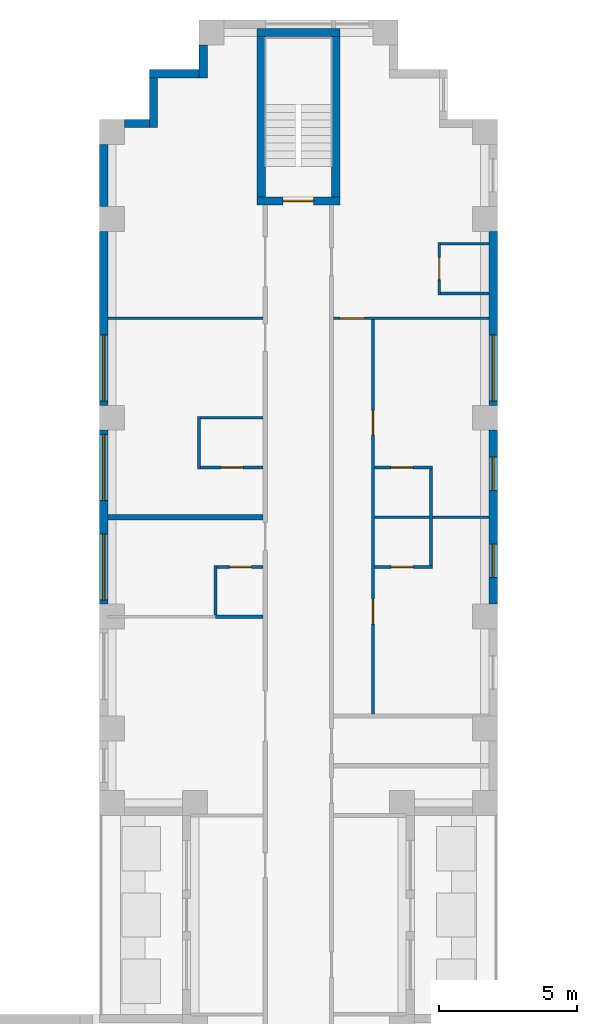
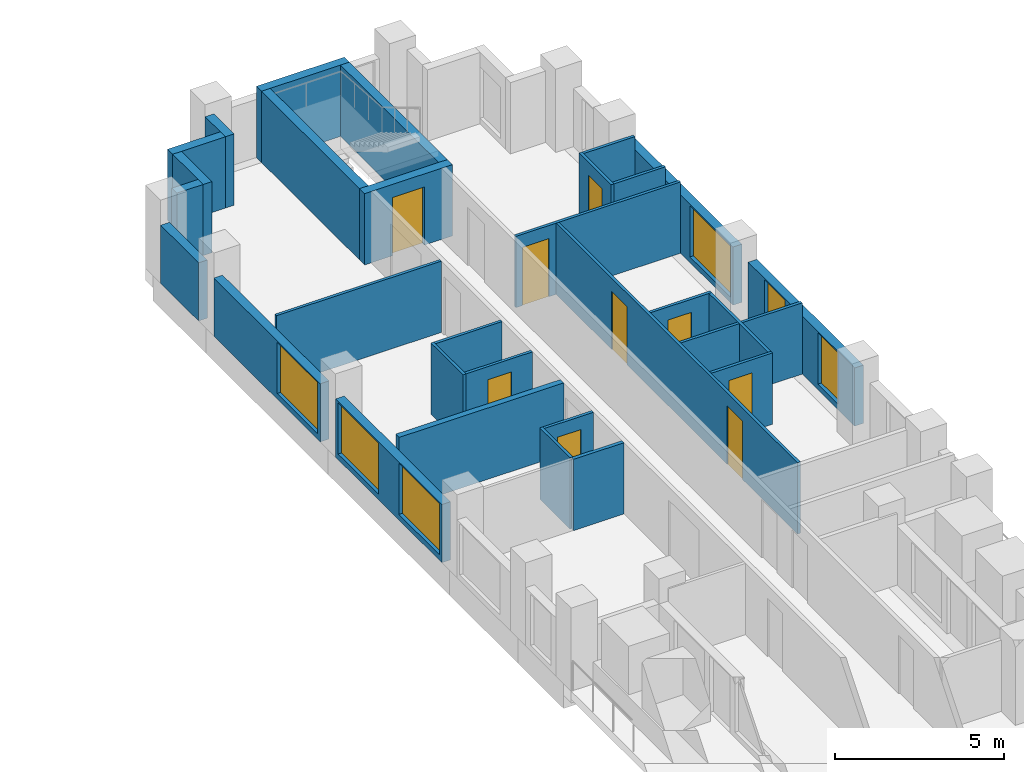
# One storey, part 11 of 15: 30 walls, 9 doors, 6 windows, 15 openings.
"""IFC4 building model written with IfcOpenShell, lengths in metres."""

from ifc_helpers import new_model, si_unit, direction, frame, frame_2d, origin, place, context, subcontext, project, spatial, rectangle, extrude, material, layer, layer_set, type_object, element, fill, save


model = new_model("IFC4")

# Units and contexts
model_context = context("Model", 3, precision=1e-05, world=origin(), true_north=direction((0.0, 1.0)))
body_context = subcontext(model_context, "Body", "Model", "MODEL_VIEW")
ifc_project = project(units=[si_unit("LENGTHUNIT", "METRE"), si_unit("AREAUNIT", "SQUARE_METRE"), si_unit("VOLUMEUNIT", "CUBIC_METRE"), si_unit("PLANEANGLEUNIT", "RADIAN"), si_unit("MASSUNIT", "GRAM", prefix="KILO")], contexts=[model_context])

# Site, building, storey
site_placement = place(None, origin())
site = spatial("IfcSite", under=ifc_project, at=site_placement, CompositionType="ELEMENT")
building_placement = place(site_placement, origin())
building = spatial("IfcBuilding", under=site, at=building_placement, Name="Fustian Cross Tower", CompositionType="ELEMENT")
storey_placement = place(building_placement, frame((0.0, 0.0, 50.699951171875)))
storey = spatial("IfcBuildingStorey", under=building, at=storey_placement, Name="L15", CompositionType="ELEMENT", Elevation=50.699951171875)

# Walls
ifc_material_1 = material(Name="Plasterboard on steel stud", Category="steel")
ifc_layer_1 = layer(ifc_material_1, 0.10009765625)
ifc_layer_set_1 = layer_set([ifc_layer_1], Name="Plasterboard on steel stud")
wall_type_1 = type_object("IfcWallType", Name="PARTITION 100 STUD", PredefinedType="PARTITIONING", material=ifc_layer_set_1)
wall_1_placement = place(storey_placement, frame((-6.89990234375, 32.39990234375, 0.0), z_axis=(0.0, 0.0, 1.0), x_axis=(1.0, 0.0, 0.0)))
element("IfcWall", 1, at=wall_1_placement, inside=storey, type_object=wall_type_1, Name="Partition 25", PredefinedType="PARTITIONING", context=body_context, shape_type="SweptSolid", body=[
    extrude(rectangle(XDim=5.625, YDim=0.10009765625, at=frame_2d((2.8125, 0.0))), origin(), (0.0, 0.0, 1.0), 2.574951171875),
])
wall_2_placement = place(storey_placement, frame((-3.60009765625, 26.949951171875, 0.0), z_axis=(0.0, 0.0, 1.0), x_axis=(0.0, 1.0, 0.0)))
element("IfcWall", 2, at=wall_2_placement, inside=storey, type_object=wall_type_1, Name="Partition 34", PredefinedType="PARTITIONING", context=body_context, shape_type="SweptSolid", body=[
    extrude(rectangle(XDim=1.900146484375, YDim=0.10009765625, at=frame_2d((0.9501953125, 0.0))), origin(), (0.0, 0.0, 1.0), 2.574951171875),
])

# Wall, opening, door
wall_3_placement = place(storey_placement, frame((-3.550048828125, 27.0, 0.0), z_axis=(0.0, 0.0, 1.0), x_axis=(1.0, 0.0, 0.0)))
wall_3 = element("IfcWall", 3, at=wall_3_placement, inside=storey, type_object=wall_type_1, Name="Partition 35", PredefinedType="PARTITIONING", context=body_context, shape_type="SweptSolid", body=[
    extrude(rectangle(XDim=2.275146484375, YDim=0.10009765625, at=frame_2d((1.1376953125, 0.0))), origin(), (0.0, 0.0, 1.0), 2.574951171875),
])
opening_1_placement = place(wall_3_placement, frame((0.75, 0.0, 0.0)))
opening_1 = element("IfcOpeningElement", 4, at=opening_1_placement, cuts=wall_3, Name="Opening D08023", PredefinedType="OPENING", context=body_context, shape_type="SweptSolid", body=[
    extrude(rectangle(XDim=0.800048828125, YDim=2.10009765625, at=frame_2d((0.39990234375, 1.050048828125))), frame((0.0, 0.06005859375, 0.0), z_axis=(0.0, -1.0, 0.0), x_axis=(1.0, 0.0, 0.0)), (0.0, 0.0, 1.0), 0.1201171875),
])
ifc_material_2 = material(Name="Painted timber", Category="wood")
door_type_1 = type_object("IfcDoorType", Name="SWING DOOR 800", OperationType="SINGLE_SWING_LEFT", PredefinedType="DOOR", material=ifc_material_2)
door_1_placement = place(opening_1_placement, origin())
door_1 = element("IfcDoor", 5, at=door_1_placement, inside=storey, type_object=door_type_1, Name="Door D08023", OperationType="SINGLE_SWING_LEFT", OverallHeight=2.10009765625, OverallWidth=0.800048828125, PredefinedType="DOOR", context=body_context, shape_type="SweptSolid", body=[
    extrude(rectangle(XDim=0.800048828125, YDim=2.10009765625, at=frame_2d((0.39990234375, 1.050048828125))), frame((0.0, 0.02490234375, 0.0), z_axis=(0.0, -1.0, 0.0), x_axis=(1.0, 0.0, 0.0)), (0.0, 0.0, 1.0), 0.050048828125),
])
fill(opening_1, door_1)

# Walls
wall_4_placement = place(storey_placement, frame((-3.550048828125, 28.800048828125, 0.0), z_axis=(0.0, 0.0, 1.0), x_axis=(1.0, 0.0, 0.0)))
element("IfcWall", 6, at=wall_4_placement, inside=storey, type_object=wall_type_1, Name="Partition 36", PredefinedType="PARTITIONING", context=body_context, shape_type="SweptSolid", body=[
    extrude(rectangle(XDim=2.275146484375, YDim=0.10009765625, at=frame_2d((1.1376953125, 0.0))), origin(), (0.0, 0.0, 1.0), 2.574951171875),
])
wall_5_placement = place(storey_placement, frame((-3.0, 21.66259765625, 0.0), z_axis=(0.0, 0.0, 1.0), x_axis=(0.0, 1.0, 0.0)))
element("IfcWall", 7, at=wall_5_placement, inside=storey, type_object=wall_type_1, Name="Partition 38", PredefinedType="PARTITIONING", context=body_context, shape_type="SweptSolid", body=[
    extrude(rectangle(XDim=1.787353515625, YDim=0.10009765625, at=frame_2d((0.8935546875, 0.0))), origin(), (0.0, 0.0, 1.0), 2.574951171875),
])

# Wall, opening, door
wall_6_placement = place(storey_placement, frame((-2.949951171875, 23.39990234375, 0.0), z_axis=(0.0, 0.0, 1.0), x_axis=(1.0, 0.0, 0.0)))
wall_6 = element("IfcWall", 8, at=wall_6_placement, inside=storey, type_object=wall_type_1, Name="Partition 40", PredefinedType="PARTITIONING", context=body_context, shape_type="SweptSolid", body=[
    extrude(rectangle(XDim=1.675048828125, YDim=0.10009765625, at=frame_2d((0.83740234375, 0.0))), origin(), (0.0, 0.0, 1.0), 2.574951171875),
])
opening_2_placement = place(wall_6_placement, frame((0.449951171875, 0.0, 0.0)))
opening_2 = element("IfcOpeningElement", 9, at=opening_2_placement, cuts=wall_6, Name="Opening D08021", PredefinedType="OPENING", context=body_context, shape_type="SweptSolid", body=[
    extrude(rectangle(XDim=0.800048828125, YDim=2.10009765625, at=frame_2d((0.39990234375, 1.050048828125))), frame((0.0, 0.06005859375, 0.0), z_axis=(0.0, -1.0, 0.0), x_axis=(1.0, 0.0, 0.0)), (0.0, 0.0, 1.0), 0.1201171875),
])
door_2_placement = place(opening_2_placement, frame((0.800048828125, 0.0, 0.0), z_axis=(0.0, 0.0, 1.0), x_axis=(-1.0, 0.0, 0.0)))
door_2 = element("IfcDoor", 10, at=door_2_placement, inside=storey, type_object=door_type_1, Name="Door D08021", OperationType="SINGLE_SWING_LEFT", OverallHeight=2.10009765625, OverallWidth=0.800048828125, PredefinedType="DOOR", context=body_context, shape_type="SweptSolid", body=[
    extrude(rectangle(XDim=0.800048828125, YDim=2.10009765625, at=frame_2d((0.39990234375, 1.050048828125))), frame((0.0, 0.02490234375, 0.0), z_axis=(0.0, -1.0, 0.0), x_axis=(1.0, 0.0, 0.0)), (0.0, 0.0, 1.0), 0.050048828125),
])
fill(opening_2, door_2)

wall_7_placement = place(storey_placement, frame((1.27490234375, 32.39990234375, 0.0), z_axis=(0.0, 0.0, 1.0), x_axis=(1.0, 0.0, 0.0)))
wall_7 = element("IfcWall", 11, at=wall_7_placement, inside=storey, type_object=wall_type_1, Name="Partition 58", PredefinedType="PARTITIONING", context=body_context, shape_type="SweptSolid", body=[
    extrude(rectangle(XDim=5.625, YDim=0.10009765625, at=frame_2d((2.8125, 0.0))), origin(), (0.0, 0.0, 1.0), 2.574951171875),
])
opening_3_placement = place(wall_7_placement, frame((0.22509765625, 0.0, 0.0)))
opening_3 = element("IfcOpeningElement", 12, at=opening_3_placement, cuts=wall_7, Name="Opening D08031", PredefinedType="OPENING", context=body_context, shape_type="SweptSolid", body=[
    extrude(rectangle(XDim=0.89990234375, YDim=2.10009765625, at=frame_2d((0.449951171875, 1.050048828125))), frame((0.0, 0.06005859375, 0.0), z_axis=(0.0, -1.0, 0.0), x_axis=(1.0, 0.0, 0.0)), (0.0, 0.0, 1.0), 0.1201171875),
])
ifc_material_3 = material(Name="Painted timber", Category="wood")
door_type_2 = type_object("IfcDoorType", Name="SWING DOOR 900", OperationType="SINGLE_SWING_LEFT", PredefinedType="DOOR", material=ifc_material_3)
door_3_placement = place(opening_3_placement, frame((0.89990234375, 0.0, 0.0), z_axis=(0.0, 0.0, 1.0), x_axis=(-1.0, 0.0, 0.0)))
door_3 = element("IfcDoor", 13, at=door_3_placement, inside=storey, type_object=door_type_2, Name="Door D08031", OperationType="SINGLE_SWING_RIGHT", OverallHeight=2.10009765625, OverallWidth=0.89990234375, PredefinedType="DOOR", context=body_context, shape_type="SweptSolid", body=[
    extrude(rectangle(XDim=0.89990234375, YDim=2.10009765625, at=frame_2d((0.449951171875, 1.050048828125))), frame((0.0, 0.02490234375, 0.0), z_axis=(0.0, -1.0, 0.0), x_axis=(1.0, 0.0, 0.0)), (0.0, 0.0, 1.0), 0.050048828125),
])
fill(opening_3, door_3)

# Wall, openings, doors
wall_8_placement = place(storey_placement, frame((2.699951171875, 18.074951171875, 0.0), z_axis=(0.0, 0.0, 1.0), x_axis=(0.0, 1.0, 0.0)))
wall_8 = element("IfcWall", 14, at=wall_8_placement, inside=storey, type_object=wall_type_1, Name="Partition 63", PredefinedType="PARTITIONING", context=body_context, shape_type="SweptSolid", body=[
    extrude(rectangle(XDim=14.275146484375, YDim=0.10009765625, at=frame_2d((7.1376953125, 0.0))), origin(), (0.0, 0.0, 1.0), 2.574951171875),
])
opening_4_placement = place(wall_8_placement, frame((3.255126953125, 0.0, 0.0)))
opening_4 = element("IfcOpeningElement", 15, at=opening_4_placement, cuts=wall_8, Name="Opening D08032", PredefinedType="OPENING", context=body_context, shape_type="SweptSolid", body=[
    extrude(rectangle(XDim=0.89990234375, YDim=2.10009765625, at=frame_2d((0.449951171875, 1.050048828125))), frame((0.0, 0.06005859375, 0.0), z_axis=(0.0, -1.0, 0.0), x_axis=(1.0, 0.0, 0.0)), (0.0, 0.0, 1.0), 0.1201171875),
])
opening_5_placement = place(wall_8_placement, frame((10.094970703125, 0.0, 0.0)))
opening_5 = element("IfcOpeningElement", 16, at=opening_5_placement, cuts=wall_8, Name="Opening D08033", PredefinedType="OPENING", context=body_context, shape_type="SweptSolid", body=[
    extrude(rectangle(XDim=0.89990234375, YDim=2.10009765625, at=frame_2d((0.449951171875, 1.050048828125))), frame((0.0, 0.06005859375, 0.0), z_axis=(0.0, -1.0, 0.0), x_axis=(1.0, 0.0, 0.0)), (0.0, 0.0, 1.0), 0.1201171875),
])
door_4_placement = place(opening_4_placement, origin())
door_4 = element("IfcDoor", 17, at=door_4_placement, inside=storey, type_object=door_type_2, Name="Door D08032", OperationType="SINGLE_SWING_LEFT", OverallHeight=2.10009765625, OverallWidth=0.89990234375, PredefinedType="DOOR", context=body_context, shape_type="SweptSolid", body=[
    extrude(rectangle(XDim=0.89990234375, YDim=2.10009765625, at=frame_2d((0.449951171875, 1.050048828125))), frame((0.0, 0.02490234375, 0.0), z_axis=(0.0, -1.0, 0.0), x_axis=(1.0, 0.0, 0.0)), (0.0, 0.0, 1.0), 0.050048828125),
])
fill(opening_4, door_4)
door_5_placement = place(opening_5_placement, origin())
door_5 = element("IfcDoor", 18, at=door_5_placement, inside=storey, type_object=door_type_2, Name="Door D08033", OperationType="SINGLE_SWING_RIGHT", OverallHeight=2.10009765625, OverallWidth=0.89990234375, PredefinedType="DOOR", context=body_context, shape_type="SweptSolid", body=[
    extrude(rectangle(XDim=0.89990234375, YDim=2.10009765625, at=frame_2d((0.449951171875, 1.050048828125))), frame((0.0, 0.02490234375, 0.0), z_axis=(0.0, -1.0, 0.0), x_axis=(1.0, 0.0, 0.0)), (0.0, 0.0, 1.0), 0.050048828125),
])
fill(opening_5, door_5)

# Wall, opening, door
wall_9_placement = place(storey_placement, frame((2.75, 23.39990234375, 0.0), z_axis=(0.0, 0.0, 1.0), x_axis=(1.0, 0.0, 0.0)))
wall_9 = element("IfcWall", 19, at=wall_9_placement, inside=storey, type_object=wall_type_1, Name="Partition 64", PredefinedType="PARTITIONING", context=body_context, shape_type="SweptSolid", body=[
    extrude(rectangle(XDim=2.10009765625, YDim=0.10009765625, at=frame_2d((1.050048828125, 0.0))), origin(), (0.0, 0.0, 1.0), 2.574951171875),
])
opening_6_placement = place(wall_9_placement, frame((0.60009765625, 0.0, 0.0)))
opening_6 = element("IfcOpeningElement", 20, at=opening_6_placement, cuts=wall_9, Name="Opening D08034", PredefinedType="OPENING", context=body_context, shape_type="SweptSolid", body=[
    extrude(rectangle(XDim=0.800048828125, YDim=2.10009765625, at=frame_2d((0.39990234375, 1.050048828125))), frame((0.0, 0.06005859375, 0.0), z_axis=(0.0, -1.0, 0.0), x_axis=(1.0, 0.0, 0.0)), (0.0, 0.0, 1.0), 0.1201171875),
])
door_6_placement = place(opening_6_placement, origin())
door_6 = element("IfcDoor", 21, at=door_6_placement, inside=storey, type_object=door_type_1, Name="Door D08034", OperationType="SINGLE_SWING_LEFT", OverallHeight=2.10009765625, OverallWidth=0.800048828125, PredefinedType="DOOR", context=body_context, shape_type="SweptSolid", body=[
    extrude(rectangle(XDim=0.800048828125, YDim=2.10009765625, at=frame_2d((0.39990234375, 1.050048828125))), frame((0.0, 0.02490234375, 0.0), z_axis=(0.0, -1.0, 0.0), x_axis=(1.0, 0.0, 0.0)), (0.0, 0.0, 1.0), 0.050048828125),
])
fill(opening_6, door_6)

# Wall
wall_10_placement = place(storey_placement, frame((2.75, 25.199951171875, 0.0), z_axis=(0.0, 0.0, 1.0), x_axis=(1.0, 0.0, 0.0)))
element("IfcWall", 22, at=wall_10_placement, inside=storey, type_object=wall_type_1, Name="Partition 65", PredefinedType="PARTITIONING", context=body_context, shape_type="SweptSolid", body=[
    extrude(rectangle(XDim=4.14990234375, YDim=0.10009765625, at=frame_2d((2.074951171875, 0.0))), origin(), (0.0, 0.0, 1.0), 2.574951171875),
])

# Wall, opening, door
wall_11_placement = place(storey_placement, frame((2.75, 27.0, 0.0), z_axis=(0.0, 0.0, 1.0), x_axis=(1.0, 0.0, 0.0)))
wall_11 = element("IfcWall", 23, at=wall_11_placement, inside=storey, type_object=wall_type_1, Name="Partition 66", PredefinedType="PARTITIONING", context=body_context, shape_type="SweptSolid", body=[
    extrude(rectangle(XDim=2.10009765625, YDim=0.10009765625, at=frame_2d((1.050048828125, 0.0))), origin(), (0.0, 0.0, 1.0), 2.574951171875),
])
opening_7_placement = place(wall_11_placement, frame((0.60009765625, 0.0, 0.0)))
opening_7 = element("IfcOpeningElement", 24, at=opening_7_placement, cuts=wall_11, Name="Opening D08035", PredefinedType="OPENING", context=body_context, shape_type="SweptSolid", body=[
    extrude(rectangle(XDim=0.800048828125, YDim=2.10009765625, at=frame_2d((0.39990234375, 1.050048828125))), frame((0.0, 0.06005859375, 0.0), z_axis=(0.0, -1.0, 0.0), x_axis=(1.0, 0.0, 0.0)), (0.0, 0.0, 1.0), 0.1201171875),
])
door_7_placement = place(opening_7_placement, frame((0.800048828125, 0.0, 0.0), z_axis=(0.0, 0.0, 1.0), x_axis=(-1.0, 0.0, 0.0)))
door_7 = element("IfcDoor", 25, at=door_7_placement, inside=storey, type_object=door_type_1, Name="Door D08035", OperationType="SINGLE_SWING_RIGHT", OverallHeight=2.10009765625, OverallWidth=0.800048828125, PredefinedType="DOOR", context=body_context, shape_type="SweptSolid", body=[
    extrude(rectangle(XDim=0.800048828125, YDim=2.10009765625, at=frame_2d((0.39990234375, 1.050048828125))), frame((0.0, 0.02490234375, 0.0), z_axis=(0.0, -1.0, 0.0), x_axis=(1.0, 0.0, 0.0)), (0.0, 0.0, 1.0), 0.050048828125),
])
fill(opening_7, door_7)

# Wall
wall_12_placement = place(storey_placement, frame((4.800048828125, 23.449951171875, 0.0), z_axis=(0.0, 0.0, 1.0), x_axis=(0.0, 1.0, 0.0)))
element("IfcWall", 26, at=wall_12_placement, inside=storey, type_object=wall_type_1, Name="Partition 69", PredefinedType="PARTITIONING", context=body_context, shape_type="SweptSolid", body=[
    extrude(rectangle(XDim=3.5, YDim=0.10009765625, at=frame_2d((1.75, 0.0))), origin(), (0.0, 0.0, 1.0), 2.574951171875),
])

# Wall, opening, door
wall_13_placement = place(storey_placement, frame((5.10009765625, 33.25, 0.0), z_axis=(0.0, 0.0, 1.0), x_axis=(0.0, 1.0, 0.0)))
wall_13 = element("IfcWall", 27, at=wall_13_placement, inside=storey, type_object=wall_type_1, Name="Partition 73", PredefinedType="PARTITIONING", context=body_context, shape_type="SweptSolid", body=[
    extrude(rectangle(XDim=1.89990234375, YDim=0.10009765625, at=frame_2d((0.949951171875, 0.0))), origin(), (0.0, 0.0, 1.0), 2.574951171875),
])
opening_8_placement = place(wall_13_placement, frame((0.550048828125, 0.0, 0.0)))
opening_8 = element("IfcOpeningElement", 28, at=opening_8_placement, cuts=wall_13, Name="Opening D08029", PredefinedType="OPENING", context=body_context, shape_type="SweptSolid", body=[
    extrude(rectangle(XDim=0.800048828125, YDim=2.10009765625, at=frame_2d((0.39990234375, 1.050048828125))), frame((0.0, 0.06005859375, 0.0), z_axis=(0.0, -1.0, 0.0), x_axis=(1.0, 0.0, 0.0)), (0.0, 0.0, 1.0), 0.1201171875),
])
door_8_placement = place(opening_8_placement, frame((0.800048828125, 0.0, 0.0), z_axis=(0.0, 0.0, 1.0), x_axis=(-1.0, 0.0, 0.0)))
door_8 = element("IfcDoor", 29, at=door_8_placement, inside=storey, type_object=door_type_1, Name="Door D08029", OperationType="SINGLE_SWING_LEFT", OverallHeight=2.10009765625, OverallWidth=0.800048828125, PredefinedType="DOOR", context=body_context, shape_type="SweptSolid", body=[
    extrude(rectangle(XDim=0.800048828125, YDim=2.10009765625, at=frame_2d((0.39990234375, 1.050048828125))), frame((0.0, 0.02490234375, 0.0), z_axis=(0.0, -1.0, 0.0), x_axis=(1.0, 0.0, 0.0)), (0.0, 0.0, 1.0), 0.050048828125),
])
fill(opening_8, door_8)

# Walls
for number, where, z_axis, x_axis, name in (
    (30, (5.14990234375, 33.300048828125, 0.0), (0.0, 0.0, 1.0), (1.0, 0.0, 0.0), "Partition 74"),
    (31, (5.14990234375, 35.10009765625, 0.0), (0.0, 0.0, 1.0), (1.0, 0.0, 0.0), "Partition 75"),
):
    element("IfcWall", number, at=place(storey_placement, frame(where, z_axis=z_axis, x_axis=x_axis)), inside=storey, type_object=wall_type_1, Name=name, PredefinedType="PARTITIONING", context=body_context, shape_type="SweptSolid", body=[
        extrude(rectangle(XDim=1.75, YDim=0.10009765625, at=frame_2d((0.875, 0.0))), origin(), (0.0, 0.0, 1.0), 2.574951171875),
    ])
ifc_material_4 = material(Name="Plasterboard on steel stud", Category="steel")
ifc_layer_2 = layer(ifc_material_4, 0.199951171875)
ifc_layer_set_2 = layer_set([ifc_layer_2], Name="Plasterboard on steel stud")
wall_type_2 = type_object("IfcWallType", Name="PARTY WALL 200 EI 60", PredefinedType="PARTITIONING", material=ifc_layer_set_2)
wall_14_placement = place(storey_placement, frame((-6.89990234375, 25.199951171875, 0.0), z_axis=(0.0, 0.0, 1.0), x_axis=(1.0, 0.0, 0.0)))
element("IfcWall", 32, at=wall_14_placement, inside=storey, type_object=wall_type_2, Name="Partition 24", PredefinedType="PARTITIONING", context=body_context, shape_type="SweptSolid", body=[
    extrude(rectangle(XDim=5.625, YDim=0.199951171875, at=frame_2d((2.8125, 0.0))), origin(), (0.0, 0.0, 1.0), 2.574951171875),
])

# Wall, opening, door
ifc_material_5 = material(Name="Concrete C50/60", Category="concrete")
ifc_layer_3 = layer(ifc_material_5, 0.300048828125)
ifc_layer_set_3 = layer_set([ifc_layer_3], Name="Concrete C50/60")
wall_type_3 = type_object("IfcWallType", Name="STAIR ENCLOSURE WALL 300 C50/60", PredefinedType="SHEAR", material=ifc_layer_set_3)
wall_15_placement = place(storey_placement, frame((-1.5, 36.64990234375, 0.0), z_axis=(0.0, 0.0, 1.0), x_axis=(1.0, 0.0, 0.0)))
wall_15 = element("IfcWall", 33, at=wall_15_placement, inside=storey, type_object=wall_type_3, Name="Stair enclosure wall", PredefinedType="SHEAR", context=body_context, shape_type="SweptSolid", body=[
    extrude(rectangle(XDim=3.0, YDim=0.300048828125, at=frame_2d((1.5, 0.0))), origin(), (0.0, 0.0, 1.0), 2.574951171875),
])
opening_9_placement = place(wall_15_placement, frame((0.949951171875, 0.0, 0.0)))
opening_9 = element("IfcOpeningElement", 34, at=opening_9_placement, cuts=wall_15, Name="Opening CD-05-31", PredefinedType="OPENING", context=body_context, shape_type="SweptSolid", body=[
    extrude(rectangle(XDim=1.10009765625, YDim=2.10009765625, at=frame_2d((0.550048828125, 1.050048828125))), frame((0.0, 0.159912109375, 0.0), z_axis=(0.0, -1.0, 0.0), x_axis=(1.0, 0.0, 0.0)), (0.0, 0.0, 1.0), 0.320068359375),
])
ifc_material_6 = material(Name="Steel", Category="steel")
door_type_3 = type_object("IfcDoorType", Name="FIRE DOOR FD60S 1100X2100", OperationType="SINGLE_SWING_LEFT", PredefinedType="DOOR", material=ifc_material_6)
door_9_placement = place(opening_9_placement, origin())
door_9 = element("IfcDoor", 35, at=door_9_placement, inside=storey, type_object=door_type_3, Name="Core door CD-05-31", OperationType="SINGLE_SWING_LEFT", OverallHeight=2.10009765625, OverallWidth=1.10009765625, PredefinedType="DOOR", context=body_context, shape_type="SweptSolid", body=[
    extrude(rectangle(XDim=1.10009765625, YDim=2.10009765625, at=frame_2d((0.550048828125, 1.050048828125))), frame((0.0, 0.02490234375, 0.0), z_axis=(0.0, -1.0, 0.0), x_axis=(1.0, 0.0, 0.0)), (0.0, 0.0, 1.0), 0.050048828125),
])
fill(opening_9, door_9)

# Walls
wall_16_placement = place(storey_placement, frame((-1.5, 42.75, 0.0), z_axis=(0.0, 0.0, 1.0), x_axis=(1.0, 0.0, 0.0)))
element("IfcWall", 36, at=wall_16_placement, inside=storey, type_object=wall_type_3, Name="Stair enclosure wall", PredefinedType="SHEAR", context=body_context, shape_type="SweptSolid", body=[
    extrude(rectangle(XDim=3.0, YDim=0.300048828125, at=frame_2d((1.5, 0.0))), origin(), (0.0, 0.0, 1.0), 2.574951171875),
])
for number, where, z_axis, x_axis, name in (
    (37, (-1.35009765625, 36.800048828125, 0.0), (0.0, 0.0, 1.0), (0.0, 1.0, 0.0), "Stair enclosure wall"),
    (38, (1.35009765625, 36.800048828125, 0.0), (0.0, 0.0, 1.0), (0.0, 1.0, 0.0), "Stair enclosure wall"),
):
    element("IfcWall", number, at=place(storey_placement, frame(where, z_axis=z_axis, x_axis=x_axis)), inside=storey, type_object=wall_type_3, Name=name, PredefinedType="SHEAR", context=body_context, shape_type="SweptSolid", body=[
        extrude(rectangle(XDim=5.800048828125, YDim=0.300048828125, at=frame_2d((2.89990234375, 0.0))), origin(), (0.0, 0.0, 1.0), 2.574951171875),
    ])
ifc_material_7 = material(Name="Plasterboard on steel stud", Category="steel")
ifc_layer_4 = layer(ifc_material_7, 0.125)
ifc_layer_set_4 = layer_set([ifc_layer_4], Name="Plasterboard on steel stud")
wall_type_4 = type_object("IfcWallType", Name="WET WALL 125 STUD", PredefinedType="PARTITIONING", material=ifc_layer_set_4)
wall_17_placement = place(storey_placement, frame((-3.0, 21.60009765625, 0.0), z_axis=(0.0, 0.0, 1.0), x_axis=(1.0, 0.0, 0.0)))
element("IfcWall", 39, at=wall_17_placement, inside=storey, type_object=wall_type_4, Name="Partition 39", PredefinedType="PARTITIONING", context=body_context, shape_type="SweptSolid", body=[
    extrude(rectangle(XDim=1.72509765625, YDim=0.125, at=frame_2d((0.862548828125, 0.0))), origin(), (0.0, 0.0, 1.0), 2.574951171875),
])

# Wall, openings, windows
ifc_material_8 = material(Name="Dark aluminium cladding on insulated backing wall", Category="aluminium")
ifc_layer_5 = layer(ifc_material_8, 0.300048828125)
ifc_layer_set_5 = layer_set([ifc_layer_5], Name="Dark aluminium cladding on insulated backing wall")
wall_type_5 = type_object("IfcWallType", Name="XW1 EXTERNAL WALL 300", PredefinedType="SOLIDWALL", material=ifc_layer_set_5)
wall_18_placement = place(storey_placement, frame((7.050048828125, 22.050048828125, 0.0), z_axis=(0.0, 0.0, 1.0), x_axis=(0.0, 1.0, 0.0)))
wall_18 = element("IfcWall", 40, at=wall_18_placement, inside=storey, type_object=wall_type_5, Name="External wall", PredefinedType="SOLIDWALL", context=body_context, shape_type="SweptSolid", body=[
    extrude(rectangle(XDim=6.300048828125, YDim=0.300048828125, at=frame_2d((3.14990234375, 0.0))), origin(), (0.0, 0.0, 1.0), 2.10009765625),
])
opening_10_placement = place(wall_18_placement, frame((0.97509765625, 0.0, 0.199951171875)))
opening_10 = element("IfcOpeningElement", 41, at=opening_10_placement, cuts=wall_18, Name="Opening WN3", PredefinedType="OPENING", context=body_context, shape_type="SweptSolid", body=[
    extrude(rectangle(XDim=1.199951171875, YDim=1.85009765625, at=frame_2d((0.60009765625, 0.925048828125))), frame((0.0, 0.159912109375, 0.0), z_axis=(0.0, -1.0, 0.0), x_axis=(1.0, 0.0, 0.0)), (0.0, 0.0, 1.0), 0.320068359375),
])
opening_11_placement = place(wall_18_placement, frame((4.125, 0.0, 0.199951171875)))
opening_11 = element("IfcOpeningElement", 42, at=opening_11_placement, cuts=wall_18, Name="Opening WN3", PredefinedType="OPENING", context=body_context, shape_type="SweptSolid", body=[
    extrude(rectangle(XDim=1.199951171875, YDim=1.85009765625, at=frame_2d((0.60009765625, 0.925048828125))), frame((0.0, 0.159912109375, 0.0), z_axis=(0.0, -1.0, 0.0), x_axis=(1.0, 0.0, 0.0)), (0.0, 0.0, 1.0), 0.320068359375),
])
ifc_material_9 = material(Name="Dark anodised aluminium and double glazing", Category="aluminium")
window_type_1 = type_object("IfcWindowType", Name="WN3 WINDOW 1200X1850", PartitioningType="SINGLE_PANEL", PredefinedType="WINDOW", material=ifc_material_9)
window_1_placement = place(opening_10_placement, origin())
window_1 = element("IfcWindow", 43, at=window_1_placement, inside=storey, type_object=window_type_1, Name="Window", OverallHeight=1.85009765625, OverallWidth=1.199951171875, PartitioningType="SINGLE_PANEL", PredefinedType="WINDOW", context=body_context, shape_type="SweptSolid", body=[
    extrude(rectangle(XDim=1.199951171875, YDim=1.85009765625, at=frame_2d((0.60009765625, 0.925048828125))), frame((0.0, 0.030029296875, 0.0), z_axis=(0.0, -1.0, 0.0), x_axis=(1.0, 0.0, 0.0)), (0.0, 0.0, 1.0), 0.06005859375),
])
fill(opening_10, window_1)
window_2_placement = place(opening_11_placement, origin())
window_2 = element("IfcWindow", 44, at=window_2_placement, inside=storey, type_object=window_type_1, Name="Window", OverallHeight=1.85009765625, OverallWidth=1.199951171875, PartitioningType="SINGLE_PANEL", PredefinedType="WINDOW", context=body_context, shape_type="SweptSolid", body=[
    extrude(rectangle(XDim=1.199951171875, YDim=1.85009765625, at=frame_2d((0.60009765625, 0.925048828125))), frame((0.0, 0.030029296875, 0.0), z_axis=(0.0, -1.0, 0.0), x_axis=(1.0, 0.0, 0.0)), (0.0, 0.0, 1.0), 0.06005859375),
])
fill(opening_11, window_2)

# Wall, opening, window
wall_19_placement = place(storey_placement, frame((7.050048828125, 29.25, 0.0), z_axis=(0.0, 0.0, 1.0), x_axis=(0.0, 1.0, 0.0)))
wall_19 = element("IfcWall", 45, at=wall_19_placement, inside=storey, type_object=wall_type_5, Name="External wall", PredefinedType="SOLIDWALL", context=body_context, shape_type="SweptSolid", body=[
    extrude(rectangle(XDim=6.300048828125, YDim=0.300048828125, at=frame_2d((3.14990234375, 0.0))), origin(), (0.0, 0.0, 1.0), 2.10009765625),
])
opening_12_placement = place(wall_19_placement, frame((0.14990234375, 0.0, 0.199951171875)))
opening_12 = element("IfcOpeningElement", 46, at=opening_12_placement, cuts=wall_19, Name="Opening WN1", PredefinedType="OPENING", context=body_context, shape_type="SweptSolid", body=[
    extrude(rectangle(XDim=2.39990234375, YDim=1.85009765625, at=frame_2d((1.199951171875, 0.925048828125))), frame((0.0, 0.159912109375, 0.0), z_axis=(0.0, -1.0, 0.0), x_axis=(1.0, 0.0, 0.0)), (0.0, 0.0, 1.0), 0.320068359375),
])
ifc_material_10 = material(Name="Dark anodised aluminium and double glazing", Category="aluminium")
window_type_2 = type_object("IfcWindowType", Name="WN1 WINDOW 2400X1850", PartitioningType="SINGLE_PANEL", PredefinedType="WINDOW", material=ifc_material_10)
window_3_placement = place(opening_12_placement, origin())
window_3 = element("IfcWindow", 47, at=window_3_placement, inside=storey, type_object=window_type_2, Name="Window", OverallHeight=1.85009765625, OverallWidth=2.39990234375, PartitioningType="SINGLE_PANEL", PredefinedType="WINDOW", context=body_context, shape_type="SweptSolid", body=[
    extrude(rectangle(XDim=2.39990234375, YDim=1.85009765625, at=frame_2d((1.199951171875, 0.925048828125))), frame((0.0, 0.030029296875, 0.0), z_axis=(0.0, -1.0, 0.0), x_axis=(1.0, 0.0, 0.0)), (0.0, 0.0, 1.0), 0.06005859375),
])
fill(opening_12, window_3)

# Walls
wall_20_placement = place(storey_placement, frame((-3.449951171875, 42.300048828125, 0.0), z_axis=(0.0, 0.0, 1.0), x_axis=(0.0, -1.0, 0.0)))
element("IfcWall", 48, at=wall_20_placement, inside=storey, type_object=wall_type_5, Name="External wall", PredefinedType="SOLIDWALL", context=body_context, shape_type="SweptSolid", body=[
    extrude(rectangle(XDim=1.199951171875, YDim=0.300048828125, at=frame_2d((0.60009765625, 0.0))), origin(), (0.0, 0.0, 1.0), 2.574951171875),
])
wall_21_placement = place(storey_placement, frame((-3.60009765625, 41.25, 0.0), z_axis=(0.0, 0.0, 1.0), x_axis=(-1.0, 0.0, 0.0)))
element("IfcWall", 49, at=wall_21_placement, inside=storey, type_object=wall_type_5, Name="External wall", PredefinedType="SOLIDWALL", context=body_context, shape_type="SweptSolid", body=[
    extrude(rectangle(XDim=1.7998046875, YDim=0.300048828125, at=frame_2d((0.89990234375, 0.0))), origin(), (0.0, 0.0, 1.0), 2.574951171875),
])
wall_22_placement = place(storey_placement, frame((-5.25, 41.10009765625, 0.0), z_axis=(0.0, 0.0, 1.0), x_axis=(0.0, -1.0, 0.0)))
element("IfcWall", 50, at=wall_22_placement, inside=storey, type_object=wall_type_5, Name="External wall", PredefinedType="SOLIDWALL", context=body_context, shape_type="SweptSolid", body=[
    extrude(rectangle(XDim=1.800048828125, YDim=0.300048828125, at=frame_2d((0.89990234375, 0.0))), origin(), (0.0, 0.0, 1.0), 2.574951171875),
])
wall_23_placement = place(storey_placement, frame((-5.39990234375, 39.449951171875, 0.0), z_axis=(0.0, 0.0, 1.0), x_axis=(-1.0, 0.0, 0.0)))
element("IfcWall", 51, at=wall_23_placement, inside=storey, type_object=wall_type_5, Name="External wall", PredefinedType="SOLIDWALL", context=body_context, shape_type="SweptSolid", body=[
    extrude(rectangle(XDim=0.900146484375, YDim=0.300048828125, at=frame_2d((0.4501953125, 0.0))), origin(), (0.0, 0.0, 1.0), 2.574951171875),
])
wall_24_placement = place(storey_placement, frame((-7.050048828125, 38.699951171875, 0.0), z_axis=(0.0, 0.0, 1.0), x_axis=(0.0, -1.0, 0.0)))
element("IfcWall", 52, at=wall_24_placement, inside=storey, type_object=wall_type_5, Name="External wall", PredefinedType="SOLIDWALL", context=body_context, shape_type="SweptSolid", body=[
    extrude(rectangle(XDim=2.25, YDim=0.300048828125, at=frame_2d((1.125, 0.0))), origin(), (0.0, 0.0, 1.0), 2.10009765625),
])

# Wall, opening, window
wall_25_placement = place(storey_placement, frame((-7.050048828125, 35.550048828125, 0.0), z_axis=(0.0, 0.0, 1.0), x_axis=(0.0, -1.0, 0.0)))
wall_25 = element("IfcWall", 53, at=wall_25_placement, inside=storey, type_object=wall_type_5, Name="External wall", PredefinedType="SOLIDWALL", context=body_context, shape_type="SweptSolid", body=[
    extrude(rectangle(XDim=6.300048828125, YDim=0.300048828125, at=frame_2d((3.14990234375, 0.0))), origin(), (0.0, 0.0, 1.0), 2.10009765625),
])
opening_13_placement = place(wall_25_placement, frame((3.75, 0.0, 0.199951171875)))
opening_13 = element("IfcOpeningElement", 54, at=opening_13_placement, cuts=wall_25, Name="Opening WN1", PredefinedType="OPENING", context=body_context, shape_type="SweptSolid", body=[
    extrude(rectangle(XDim=2.39990234375, YDim=1.85009765625, at=frame_2d((1.199951171875, 0.925048828125))), frame((0.0, 0.159912109375, 0.0), z_axis=(0.0, -1.0, 0.0), x_axis=(1.0, 0.0, 0.0)), (0.0, 0.0, 1.0), 0.320068359375),
])
window_4_placement = place(opening_13_placement, origin())
window_4 = element("IfcWindow", 55, at=window_4_placement, inside=storey, type_object=window_type_2, Name="Window", OverallHeight=1.85009765625, OverallWidth=2.39990234375, PartitioningType="SINGLE_PANEL", PredefinedType="WINDOW", context=body_context, shape_type="SweptSolid", body=[
    extrude(rectangle(XDim=2.39990234375, YDim=1.85009765625, at=frame_2d((1.199951171875, 0.925048828125))), frame((0.0, 0.030029296875, 0.0), z_axis=(0.0, -1.0, 0.0), x_axis=(1.0, 0.0, 0.0)), (0.0, 0.0, 1.0), 0.06005859375),
])
fill(opening_13, window_4)

# Wall, openings, windows
wall_26_placement = place(storey_placement, frame((-7.050048828125, 28.35009765625, 0.0), z_axis=(0.0, 0.0, 1.0), x_axis=(0.0, -1.0, 0.0)))
wall_26 = element("IfcWall", 56, at=wall_26_placement, inside=storey, type_object=wall_type_5, Name="External wall", PredefinedType="SOLIDWALL", context=body_context, shape_type="SweptSolid", body=[
    extrude(rectangle(XDim=6.300048828125, YDim=0.300048828125, at=frame_2d((3.14990234375, 0.0))), origin(), (0.0, 0.0, 1.0), 2.10009765625),
])
opening_14_placement = place(wall_26_placement, frame((0.14990234375, 0.0, 0.199951171875)))
opening_14 = element("IfcOpeningElement", 57, at=opening_14_placement, cuts=wall_26, Name="Opening WN1", PredefinedType="OPENING", context=body_context, shape_type="SweptSolid", body=[
    extrude(rectangle(XDim=2.39990234375, YDim=1.85009765625, at=frame_2d((1.199951171875, 0.925048828125))), frame((0.0, 0.159912109375, 0.0), z_axis=(0.0, -1.0, 0.0), x_axis=(1.0, 0.0, 0.0)), (0.0, 0.0, 1.0), 0.320068359375),
])
opening_15_placement = place(wall_26_placement, frame((3.75, 0.0, 0.199951171875)))
opening_15 = element("IfcOpeningElement", 58, at=opening_15_placement, cuts=wall_26, Name="Opening WN1", PredefinedType="OPENING", context=body_context, shape_type="SweptSolid", body=[
    extrude(rectangle(XDim=2.39990234375, YDim=1.85009765625, at=frame_2d((1.199951171875, 0.925048828125))), frame((0.0, 0.159912109375, 0.0), z_axis=(0.0, -1.0, 0.0), x_axis=(1.0, 0.0, 0.0)), (0.0, 0.0, 1.0), 0.320068359375),
])
window_5_placement = place(opening_14_placement, origin())
window_5 = element("IfcWindow", 59, at=window_5_placement, inside=storey, type_object=window_type_2, Name="Window", OverallHeight=1.85009765625, OverallWidth=2.39990234375, PartitioningType="SINGLE_PANEL", PredefinedType="WINDOW", context=body_context, shape_type="SweptSolid", body=[
    extrude(rectangle(XDim=2.39990234375, YDim=1.85009765625, at=frame_2d((1.199951171875, 0.925048828125))), frame((0.0, 0.030029296875, 0.0), z_axis=(0.0, -1.0, 0.0), x_axis=(1.0, 0.0, 0.0)), (0.0, 0.0, 1.0), 0.06005859375),
])
fill(opening_14, window_5)
window_6_placement = place(opening_15_placement, origin())
window_6 = element("IfcWindow", 60, at=window_6_placement, inside=storey, type_object=window_type_2, Name="Window", OverallHeight=1.85009765625, OverallWidth=2.39990234375, PartitioningType="SINGLE_PANEL", PredefinedType="WINDOW", context=body_context, shape_type="SweptSolid", body=[
    extrude(rectangle(XDim=2.39990234375, YDim=1.85009765625, at=frame_2d((1.199951171875, 0.925048828125))), frame((0.0, 0.030029296875, 0.0), z_axis=(0.0, -1.0, 0.0), x_axis=(1.0, 0.0, 0.0)), (0.0, 0.0, 1.0), 0.06005859375),
])
fill(opening_15, window_6)

save(model, "model.ifc")
